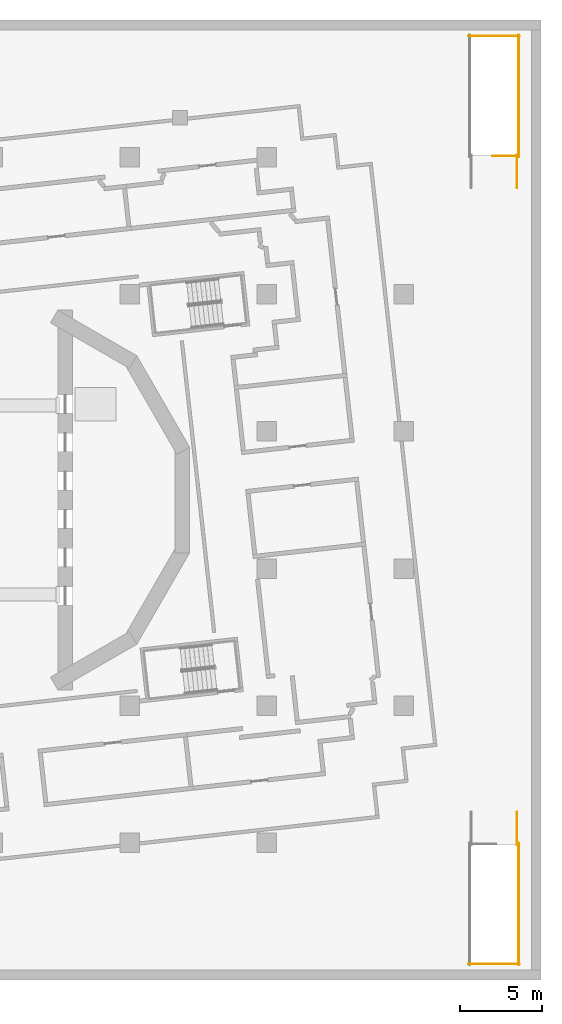
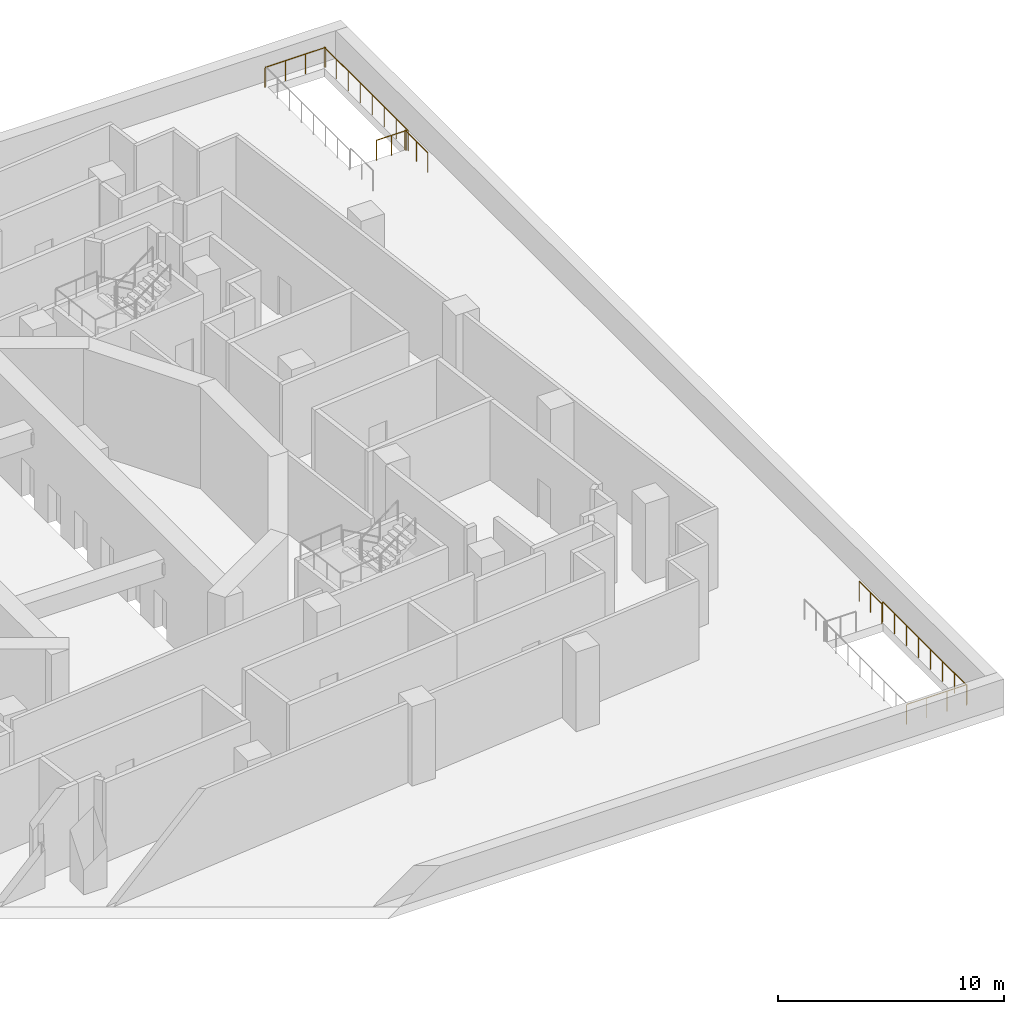
# One storey, part 11 of 12: 7 railings.
"""IFC4 building model written with IfcOpenShell, lengths in metres."""

from ifc_helpers import new_model, si_unit, direction, frame, origin, origin_2d, place, context, subcontext, project, spatial, circle, extrude, material, type_object, element, save


model = new_model("IFC4")

# Units and contexts
model_context = context("Model", 3, precision=1e-05, world=origin(), true_north=direction((0.0, 1.0)))
body_context = subcontext(model_context, "Body", "Model", "MODEL_VIEW")
ifc_project = project(units=[si_unit("LENGTHUNIT", "METRE"), si_unit("AREAUNIT", "SQUARE_METRE"), si_unit("VOLUMEUNIT", "CUBIC_METRE"), si_unit("PLANEANGLEUNIT", "RADIAN"), si_unit("MASSUNIT", "GRAM", prefix="KILO")], contexts=[model_context])

# Site, building, storey
site_placement = place(None, origin())
site = spatial("IfcSite", under=ifc_project, at=site_placement, CompositionType="ELEMENT")
building_placement = place(site_placement, origin())
building = spatial("IfcBuilding", under=site, at=building_placement, Name="Cantera Rosa Tower", CompositionType="ELEMENT")
storey_placement = place(building_placement, frame((0.0, 0.0, 37.0)))
storey = spatial("IfcBuildingStorey", under=building, at=storey_placement, Name="L06", CompositionType="ELEMENT", Elevation=37.0)

# Railings
ifc_material = material(Name="Steel S355J2 (EN 10025-2)", Category="steel")
railing_type = type_object("IfcRailingType", Name="STAIR GUARD 1100", PredefinedType="GUARDRAIL", material=ifc_material)
railing_1_placement = place(storey_placement, frame((32.175048828125, 21.074951171875, 0.0)))
element("IfcRailing", 1, at=railing_1_placement, inside=storey, type_object=railing_type, Name="L06 ST-NE top well guard 1", PredefinedType="GUARDRAIL", context=body_context, shape_type="SweptSolid", body=[
    extrude(circle(Radius=0.02392578125, at=origin_2d()), frame((0.0, 0.0, 1.076171875), z_axis=(-1.0, 0.0, 0.0), x_axis=(0.0, -1.0, 0.0)), (0.0, 0.0, 1.0), 1.550048828125),
    extrude(circle(Radius=0.02099609375, at=origin_2d()), origin(), (0.0, 0.0, 1.0), 1.052001953125),
    extrude(circle(Radius=0.02099609375, at=origin_2d()), frame((-0.77490234375, 0.0, 0.0)), (0.0, 0.0, 1.0), 1.052001953125),
    extrude(circle(Radius=0.02099609375, at=origin_2d()), frame((-1.550048828125, 0.0, 0.0)), (0.0, 0.0, 1.0), 1.052001953125),
])
railing_2_placement = place(storey_placement, frame((32.22509765625, 21.02490234375, 0.0)))
element("IfcRailing", 2, at=railing_2_placement, inside=storey, type_object=railing_type, Name="L06 ST-NE top well guard 2", PredefinedType="GUARDRAIL", context=body_context, shape_type="SweptSolid", body=[
    extrude(circle(Radius=0.02392578125, at=origin_2d()), frame((0.0, 0.0, 1.076171875), z_axis=(0.0, 1.0, 0.0), x_axis=(-1.0, 0.0, 0.0)), (0.0, 0.0, 1.0), 7.4501953125),
    extrude(circle(Radius=0.02099609375, at=origin_2d()), origin(), (0.0, 0.0, 1.0), 1.052001953125),
    extrude(circle(Radius=0.02099609375, at=origin_2d()), frame((0.0, 1.064208984375, 0.0)), (0.0, 0.0, 1.0), 1.052001953125),
    extrude(circle(Radius=0.02099609375, at=origin_2d()), frame((0.0, 2.128662109375, 0.0)), (0.0, 0.0, 1.0), 1.052001953125),
    extrude(circle(Radius=0.02099609375, at=origin_2d()), frame((0.0, 3.19287109375, 0.0)), (0.0, 0.0, 1.0), 1.052001953125),
    extrude(circle(Radius=0.02099609375, at=origin_2d()), frame((0.0, 4.25732421875, 0.0)), (0.0, 0.0, 1.0), 1.052001953125),
    extrude(circle(Radius=0.02099609375, at=origin_2d()), frame((0.0, 5.321533203125, 0.0)), (0.0, 0.0, 1.0), 1.052001953125),
    extrude(circle(Radius=0.02099609375, at=origin_2d()), frame((0.0, 6.385986328125, 0.0)), (0.0, 0.0, 1.0), 1.052001953125),
    extrude(circle(Radius=0.02099609375, at=origin_2d()), frame((0.0, 7.4501953125, 0.0)), (0.0, 0.0, 1.0), 1.052001953125),
])
railing_3_placement = place(storey_placement, frame((32.27490234375, 28.425048828125, 0.0)))
element("IfcRailing", 3, at=railing_3_placement, inside=storey, type_object=railing_type, Name="L06 ST-NE top well guard 4", PredefinedType="GUARDRAIL", context=body_context, shape_type="SweptSolid", body=[
    extrude(circle(Radius=0.02392578125, at=origin_2d()), frame((0.0, 0.0, 1.076171875), z_axis=(-1.0, 0.0, 0.0), x_axis=(0.0, -1.0, 0.0)), (0.0, 0.0, 1.0), 3.099853515625),
    extrude(circle(Radius=0.02099609375, at=origin_2d()), origin(), (0.0, 0.0, 1.0), 1.052001953125),
    extrude(circle(Radius=0.02099609375, at=origin_2d()), frame((-1.033203125, 0.0, 0.0)), (0.0, 0.0, 1.0), 1.052001953125),
    extrude(circle(Radius=0.02099609375, at=origin_2d()), frame((-2.066650390625, 0.0, 0.0)), (0.0, 0.0, 1.0), 1.052001953125),
    extrude(circle(Radius=0.02099609375, at=origin_2d()), frame((-3.099853515625, 0.0, 0.0)), (0.0, 0.0, 1.0), 1.052001953125),
])
railing_4_placement = place(storey_placement, frame((32.125, 19.125, 0.0)))
element("IfcRailing", 4, at=railing_4_placement, inside=storey, type_object=railing_type, Name="L06 ST-NE top well guard 5", PredefinedType="GUARDRAIL", context=body_context, shape_type="SweptSolid", body=[
    extrude(circle(Radius=0.02392578125, at=origin_2d()), frame((0.0, 0.0, 1.076171875), z_axis=(0.0, 1.0, 0.0), x_axis=(-1.0, 0.0, 0.0)), (0.0, 0.0, 1.0), 2.0),
    extrude(circle(Radius=0.02099609375, at=origin_2d()), origin(), (0.0, 0.0, 1.0), 1.052001953125),
    extrude(circle(Radius=0.02099609375, at=origin_2d()), frame((0.0, 1.0, 0.0)), (0.0, 0.0, 1.0), 1.052001953125),
    extrude(circle(Radius=0.02099609375, at=origin_2d()), frame((0.0, 2.0, 0.0)), (0.0, 0.0, 1.0), 1.052001953125),
])
railing_5_placement = place(storey_placement, frame((32.22509765625, -21.02490234375, 0.0)))
element("IfcRailing", 5, at=railing_5_placement, inside=storey, type_object=railing_type, Name="L06 ST-SE top well guard 3", PredefinedType="GUARDRAIL", context=body_context, shape_type="SweptSolid", body=[
    extrude(circle(Radius=0.02392578125, at=origin_2d()), frame((0.0, 0.0, 1.076171875), z_axis=(0.0, -1.0, 0.0), x_axis=(1.0, 0.0, 0.0)), (0.0, 0.0, 1.0), 7.4501953125),
    extrude(circle(Radius=0.02099609375, at=origin_2d()), origin(), (0.0, 0.0, 1.0), 1.052001953125),
    extrude(circle(Radius=0.02099609375, at=origin_2d()), frame((0.0, -1.064208984375, 0.0)), (0.0, 0.0, 1.0), 1.052001953125),
    extrude(circle(Radius=0.02099609375, at=origin_2d()), frame((0.0, -2.128662109375, 0.0)), (0.0, 0.0, 1.0), 1.052001953125),
    extrude(circle(Radius=0.02099609375, at=origin_2d()), frame((0.0, -3.19287109375, 0.0)), (0.0, 0.0, 1.0), 1.052001953125),
    extrude(circle(Radius=0.02099609375, at=origin_2d()), frame((0.0, -4.25732421875, 0.0)), (0.0, 0.0, 1.0), 1.052001953125),
    extrude(circle(Radius=0.02099609375, at=origin_2d()), frame((0.0, -5.321533203125, 0.0)), (0.0, 0.0, 1.0), 1.052001953125),
    extrude(circle(Radius=0.02099609375, at=origin_2d()), frame((0.0, -6.385986328125, 0.0)), (0.0, 0.0, 1.0), 1.052001953125),
    extrude(circle(Radius=0.02099609375, at=origin_2d()), frame((0.0, -7.4501953125, 0.0)), (0.0, 0.0, 1.0), 1.052001953125),
])
railing_6_placement = place(storey_placement, frame((29.175048828125, -28.425048828125, 0.0)))
element("IfcRailing", 6, at=railing_6_placement, inside=storey, type_object=railing_type, Name="L06 ST-SE top well guard 4", PredefinedType="GUARDRAIL", context=body_context, shape_type="SweptSolid", body=[
    extrude(circle(Radius=0.02392578125, at=origin_2d()), frame((0.0, 0.0, 1.076171875), z_axis=(1.0, 0.0, 0.0), x_axis=(0.0, 1.0, 0.0)), (0.0, 0.0, 1.0), 3.099853515625),
    extrude(circle(Radius=0.02099609375, at=origin_2d()), origin(), (0.0, 0.0, 1.0), 1.052001953125),
    extrude(circle(Radius=0.02099609375, at=origin_2d()), frame((1.033203125, 0.0, 0.0)), (0.0, 0.0, 1.0), 1.052001953125),
    extrude(circle(Radius=0.02099609375, at=origin_2d()), frame((2.066650390625, 0.0, 0.0)), (0.0, 0.0, 1.0), 1.052001953125),
    extrude(circle(Radius=0.02099609375, at=origin_2d()), frame((3.099853515625, 0.0, 0.0)), (0.0, 0.0, 1.0), 1.052001953125),
])
railing_7_placement = place(storey_placement, frame((32.125, -19.125, 0.0)))
element("IfcRailing", 7, at=railing_7_placement, inside=storey, type_object=railing_type, Name="L06 ST-SE top well guard 6", PredefinedType="GUARDRAIL", context=body_context, shape_type="SweptSolid", body=[
    extrude(circle(Radius=0.02392578125, at=origin_2d()), frame((0.0, 0.0, 1.076171875), z_axis=(0.0, -1.0, 0.0), x_axis=(1.0, 0.0, 0.0)), (0.0, 0.0, 1.0), 2.0),
    extrude(circle(Radius=0.02099609375, at=origin_2d()), origin(), (0.0, 0.0, 1.0), 1.052001953125),
    extrude(circle(Radius=0.02099609375, at=origin_2d()), frame((0.0, -1.0, 0.0)), (0.0, 0.0, 1.0), 1.052001953125),
    extrude(circle(Radius=0.02099609375, at=origin_2d()), frame((0.0, -2.0, 0.0)), (0.0, 0.0, 1.0), 1.052001953125),
])

save(model, "model.ifc")
